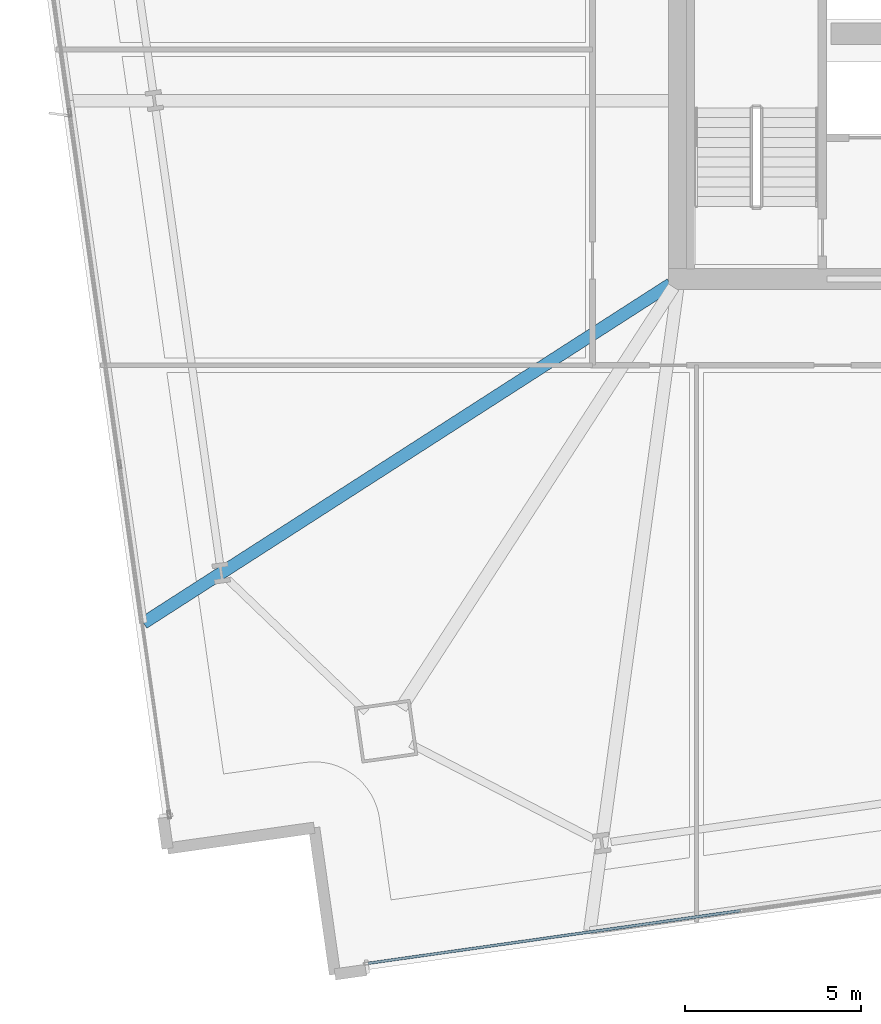
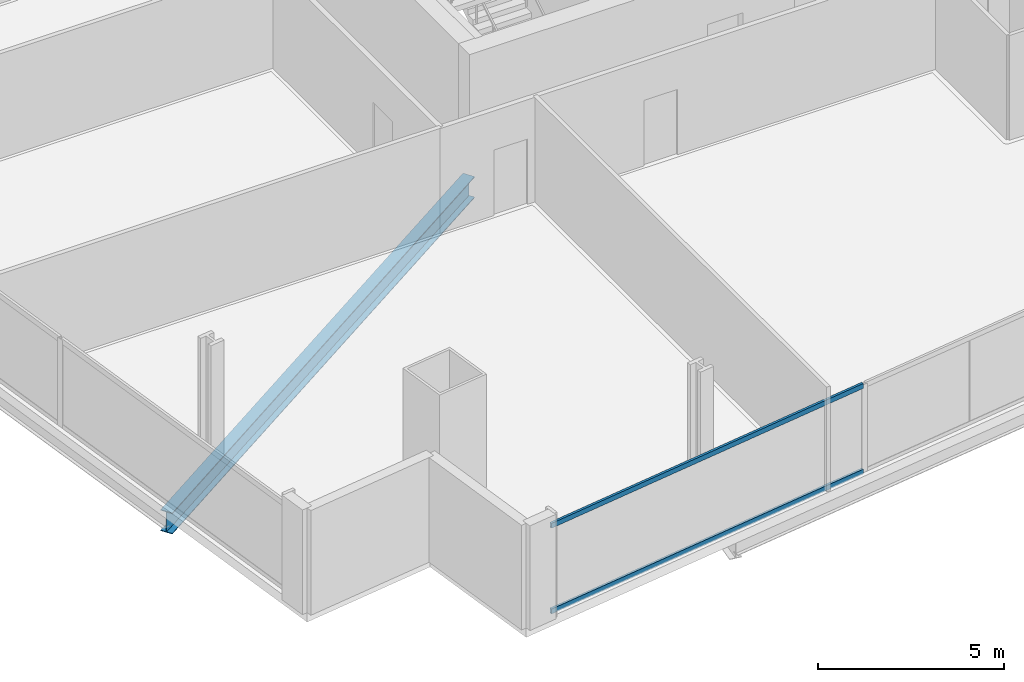
# One storey, part 4 of 33: 2 members, 1 beam, 1 element without a shape of its own.
"""IFC4 building model written with IfcOpenShell, lengths in metres."""

from ifc_helpers import new_model, si_unit, direction, frame, origin, origin_2d, place, context, subcontext, project, spatial, hollow_rectangle, i_section, extrude, material, material_profile, profile_set, type_object, element, aggregate, save


model = new_model("IFC4")

# Units and contexts
model_context = context("Model", 3, precision=1e-05, world=origin(), true_north=direction((0.0, 1.0)))
body_context = subcontext(model_context, "Body", "Model", "MODEL_VIEW")
ifc_project = project(units=[si_unit("LENGTHUNIT", "METRE"), si_unit("AREAUNIT", "SQUARE_METRE"), si_unit("VOLUMEUNIT", "CUBIC_METRE"), si_unit("PLANEANGLEUNIT", "RADIAN"), si_unit("MASSUNIT", "GRAM", prefix="KILO")], contexts=[model_context])

# Site, building, storey
site_placement = place(None, origin())
site = spatial("IfcSite", under=ifc_project, at=site_placement, CompositionType="ELEMENT")
building_placement = place(site_placement, origin())
building = spatial("IfcBuilding", under=site, at=building_placement, Name="Haldenkirk Collegiate Tower", CompositionType="ELEMENT")
storey_placement = place(building_placement, frame((0.0, 0.0, 55.199951171875)))
storey = spatial("IfcBuildingStorey", under=building, at=storey_placement, Name="L12", CompositionType="ELEMENT", Elevation=55.199951171875)

# Beam
ifc_material_1 = material(Name="Steel ASTM A992 Grade 50", Category="steel")
ifc_material_profile_1 = material_profile(ifc_material_1, i_section(OverallWidth=0.35498046875, OverallDepth=0.696044921875, WebThickness=0.015380859375, FlangeThickness=0.02490234375, at=origin_2d()), Name="W27X146")
ifc_profile_set_1 = profile_set([ifc_material_profile_1], Name="Steel ASTM A992 Grade 50")
beam_type = type_object("IfcBeamType", Name="BM-GIRDER-W27X146", PredefinedType="BEAM", material=ifc_profile_set_1)
beam_placement = place(storey_placement, frame((11.818603515625, 8.24072265625, -0.657958984375), z_axis=(0.841181154068, 0.540753424437, 0.0), x_axis=(-0.540753424437, 0.841181154068, 0.0)))
element("IfcBeam", 1, at=beam_placement, inside=storey, type_object=beam_type, Name="L12 primary floor girder 16", PredefinedType="BEAM", context=body_context, shape_type="SweptSolid", body=[
    extrude(i_section(OverallWidth=0.35498046875, OverallDepth=0.696044921875, WebThickness=0.015380859375, FlangeThickness=0.02490234375, at=origin_2d()), origin(), (0.0, 0.0, 1.0), 17.767578125),
])

# Curtain wall, members
ifc_material_2 = material(Name="Anodised architectural bronze aluminium", Category="aluminium")
curtain_wall_type = type_object("IfcCurtainWallType", Name="CW-SYS2-CONCAVE", PredefinedType="USERDEFINED", material=ifc_material_2)
curtain_wall_placement = place(storey_placement, origin())
curtain_wall = element("IfcCurtainWall", 2, at=curtain_wall_placement, inside=storey, type_object=curtain_wall_type, Name="L12 South concave recessed bronze-anodised curtain wall", ObjectType="UNITISED CURTAIN WALL", PredefinedType="USERDEFINED")
ifc_material_profile_2 = material_profile(ifc_material_2, hollow_rectangle(XDim=0.074951171875, YDim=0.159912109375, WallThickness=0.0048828125, at=origin_2d()), Name="CW-TRN-02")
ifc_profile_set_2 = profile_set([ifc_material_profile_2], Name="Anodised architectural bronze aluminium")
member_type = type_object("IfcMemberType", Name="CW-TRN-02", PredefinedType="USERDEFINED", material=ifc_profile_set_2)
member_1_placement = place(storey_placement, frame((28.7451171875, 0.083740234375, 0.03759765625), z_axis=(-0.990145903853, -0.140039598269, 0.0), x_axis=(0.140039598269, -0.990145903853, 0.0)))
member_1 = element("IfcMember", 3, at=member_1_placement, type_object=member_type, Name="CW-02 transom 4.1", ObjectType="TRANSOM", PredefinedType="USERDEFINED", context=body_context, shape_type="SweptSolid", body=[
    extrude(hollow_rectangle(XDim=0.074951171875, YDim=0.159912109375, WallThickness=0.0048828125, at=origin_2d()), origin(), (0.0, 0.0, 1.0), 10.662353515625),
])
member_2_placement = place(storey_placement, frame((28.7451171875, 0.083740234375, 2.853515625), z_axis=(-0.990145903853, -0.140039598269, 0.0), x_axis=(0.140039598269, -0.990145903853, 0.0)))
member_2 = element("IfcMember", 4, at=member_2_placement, type_object=member_type, Name="CW-02 transom 4.2", ObjectType="TRANSOM", PredefinedType="USERDEFINED", context=body_context, shape_type="SweptSolid", body=[
    extrude(hollow_rectangle(XDim=0.074951171875, YDim=0.159912109375, WallThickness=0.0048828125, at=origin_2d()), origin(), (0.0, 0.0, 1.0), 10.662353515625),
])
aggregate(curtain_wall, [member_1, member_2])

save(model, "model.ifc")
